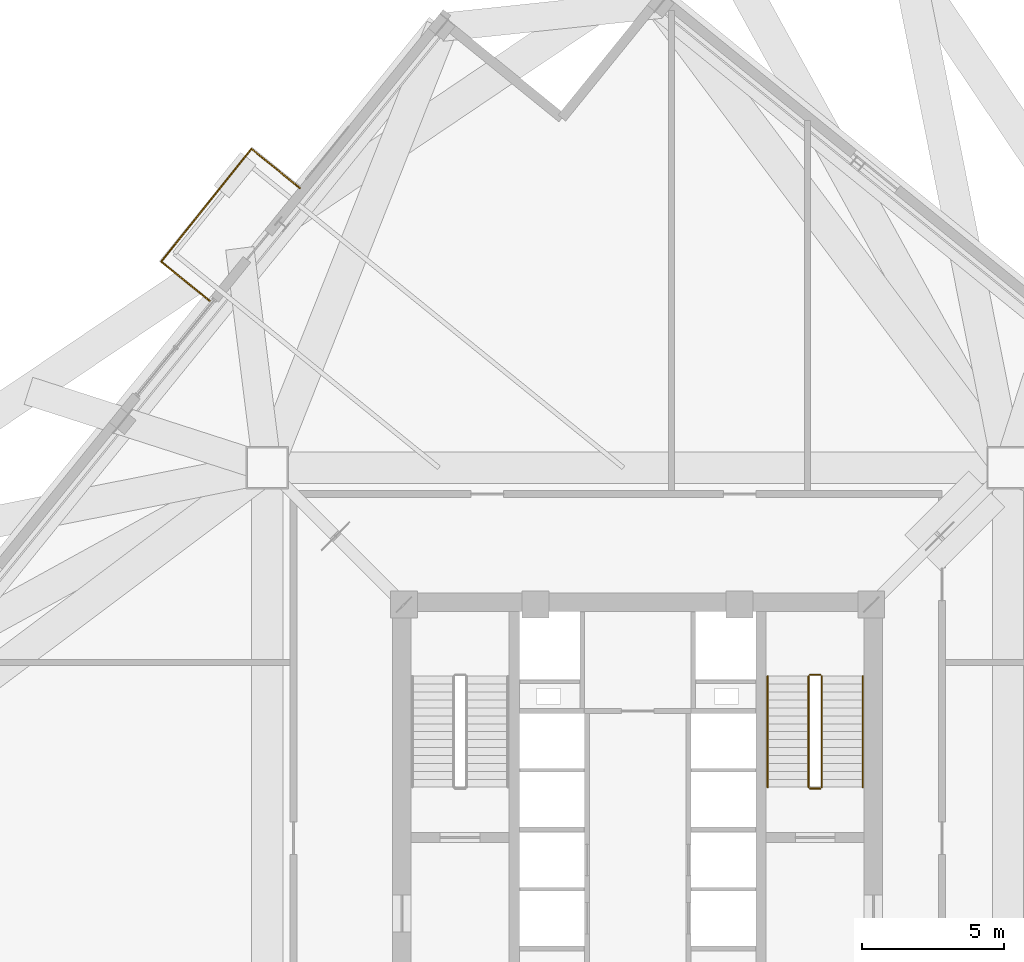
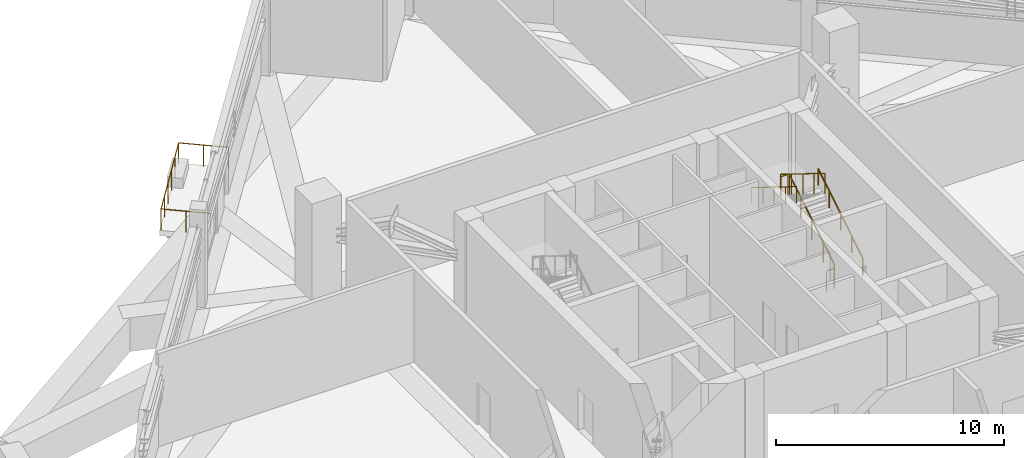
# One storey, part 21 of 22: 9 railings.
"""IFC4 building model written with IfcOpenShell, lengths in metres."""

import ifcopenshell
import ifcopenshell.guid

model = None  # the IFC model being written
_history = None  # IfcOwnerHistory: only IFC2X3 demands one
_inside = {}  # id of a spatial element -> (the spatial element, [elements in it])
_under = {}  # id of a project, library or spatial element -> (it, [spatial elements below it])
_declared = {}  # id of a project -> (the project, [libraries it declares])
_typed = {}  # id of a type object -> (the type object, [elements of that type])
_made_of = {}  # id of a material, layer set ... -> (it, [elements and type objects made of it])


def new_model(schema):
    """Start an empty IFC model of exactly this schema.

    Asked for "IFC4X3", IfcOpenShell would pick the latest addendum, in which some entities
    have other attributes; the version numbers below select the first issue.
    IFC2X3 requires an IfcOwnerHistory on every rooted entity: one is made here for all.
    """
    global model, _history
    if schema == "IFC4X3":
        model = ifcopenshell.file(schema_version=(4, 3, 0, 0))
    else:
        model = ifcopenshell.file(schema=schema)
    _inside.clear()
    _under.clear()
    _declared.clear()
    _typed.clear()
    _made_of.clear()
    _history = None
    if model.schema == "IFC2X3":
        org = make("IfcOrganization", Name="unknown")
        user = make(
            "IfcPersonAndOrganization",
            ThePerson=make("IfcPerson", FamilyName="unknown"),
            TheOrganization=org,
        )
        app = make(
            "IfcApplication",
            ApplicationDeveloper=org,
            Version="unknown",
            ApplicationFullName="unknown",
            ApplicationIdentifier="unknown",
        )
        _history = make(
            "IfcOwnerHistory",
            OwningUser=user,
            OwningApplication=app,
            ChangeAction="ADDED",
            CreationDate=0,
        )
    return model


def make(cls, **values):
    """One entity of the class cls with the attributes given. An attribute that is None is left unset."""
    return model.create_entity(
        cls, **{name: value for name, value in values.items() if value is not None}
    )


def rooted(cls, **values):
    """An entity with a GlobalId (a new one), such as an element, a storey or a relation."""
    return make(cls, GlobalId=ifcopenshell.guid.new(), OwnerHistory=_history, **values)


def si_unit(unit_type, name, prefix=None):
    """IfcSIUnit, for example si_unit("LENGTHUNIT", "METRE", prefix="MILLI")."""
    return make("IfcSIUnit", UnitType=unit_type, Prefix=prefix, Name=name)


def assignment(units):
    """IfcUnitAssignment: the units of a project."""
    return None if units is None else make("IfcUnitAssignment", Units=units)


def point(xyz):
    """IfcCartesianPoint."""
    return None if xyz is None else make("IfcCartesianPoint", Coordinates=xyz)


def direction(xyz):
    """IfcDirection."""
    return None if xyz is None else make("IfcDirection", DirectionRatios=xyz)


def frame(location, z_axis=None, x_axis=None):
    """IfcAxis2Placement3D, a coordinate frame: its origin and axes. An axis left out is left unset."""
    return make(
        "IfcAxis2Placement3D",
        Location=point(location),
        Axis=direction(z_axis),
        RefDirection=direction(x_axis),
    )


def frame_2d(location, x_axis=None):
    """IfcAxis2Placement2D, a coordinate frame in the plane: its origin and x axis."""
    return make(
        "IfcAxis2Placement2D", Location=point(location), RefDirection=direction(x_axis)
    )


def origin():
    """The frame at (0, 0, 0) with its axes left unset."""
    return frame((0.0, 0.0, 0.0))


def origin_2d():
    """The frame at (0, 0) in the plane with its x axis left unset."""
    return frame_2d((0.0, 0.0))


def place(relative_to, where):
    """IfcLocalPlacement: puts the frame where relative to a parent placement (None: the world)."""
    return make(
        "IfcLocalPlacement", PlacementRelTo=relative_to, RelativePlacement=where
    )


def context(
    kind, dimensions, precision=None, world=None, true_north=None, identifier=None
):
    """IfcGeometricRepresentationContext, for example the 3D "Model" context."""
    return make(
        "IfcGeometricRepresentationContext",
        ContextIdentifier=identifier,
        ContextType=kind,
        CoordinateSpaceDimension=dimensions,
        Precision=precision,
        WorldCoordinateSystem=world,
        TrueNorth=true_north,
    )


def subcontext(parent, identifier, kind, view, scale=None):
    """IfcGeometricRepresentationSubContext, for example "Body" below "Model"."""
    return make(
        "IfcGeometricRepresentationSubContext",
        ContextIdentifier=identifier,
        ContextType=kind,
        ParentContext=parent,
        TargetScale=scale,
        TargetView=view,
    )


def project(units=None, contexts=None):
    """IfcProject with its units and contexts."""
    return rooted(
        "IfcProject",
        Name="project",
        RepresentationContexts=contexts,
        UnitsInContext=assignment(units),
    )


def spatial(cls, under=None, at=None, **own):
    """A site, building, storey or space (cls), placed at a placement, below another one or the project."""
    s = rooted(cls, ObjectPlacement=at, **own)
    if under is not None:
        _under.setdefault(under.id(), (under, []))[1].append(s)
    return s


def profile(cls, at=None, kind="AREA", **sizes):
    """A parametric profile (cls). Its sizes go by their IFC names, for example OverallWidth=200.0."""
    return make(cls, ProfileType=kind, Position=at, **sizes)


def circle(**sizes):
    """IfcCircleProfileDef."""
    return profile("IfcCircleProfileDef", **sizes)


def extrude(swept, where, along, depth):
    """IfcExtrudedAreaSolid: the profile swept, set in the frame where, extruded along a direction by depth."""
    return make(
        "IfcExtrudedAreaSolid",
        SweptArea=swept,
        Position=where,
        ExtrudedDirection=direction(along),
        Depth=depth,
    )


def shape(context_of_items, identifier, shape_type, items):
    """IfcShapeRepresentation: the items that make up one representation, for example the "Body"."""
    return make(
        "IfcShapeRepresentation",
        ContextOfItems=context_of_items,
        RepresentationIdentifier=identifier,
        RepresentationType=shape_type,
        Items=items,
    )


def source(mapping_origin, context_of_items, identifier, shape_type, items):
    """IfcRepresentationMap: a shape defined once, which mapped items show again and again."""
    return make(
        "IfcRepresentationMap",
        MappingOrigin=mapping_origin,
        MappedRepresentation=shape(context_of_items, identifier, shape_type, items),
    )


def transform(
    local_origin,
    x_axis=None,
    y_axis=None,
    z_axis=None,
    scale=None,
    scale2=None,
    scale3=None,
    uniform=True,
):
    """IfcCartesianTransformationOperator3D, or its non-uniform kind. x_axis, y_axis, z_axis: its Axis1, 2, 3."""
    if uniform:
        return make(
            "IfcCartesianTransformationOperator3D",
            Axis1=direction(x_axis),
            Axis2=direction(y_axis),
            LocalOrigin=point(local_origin),
            Scale=scale,
            Axis3=direction(z_axis),
        )
    return make(
        "IfcCartesianTransformationOperator3DnonUniform",
        Axis1=direction(x_axis),
        Axis2=direction(y_axis),
        LocalOrigin=point(local_origin),
        Scale=scale,
        Axis3=direction(z_axis),
        Scale2=scale2,
        Scale3=scale3,
    )


def mapped(mapping_source, mapping_target):
    """IfcMappedItem: shows the shape of a source again, moved by a transform."""
    return make(
        "IfcMappedItem", MappingSource=mapping_source, MappingTarget=mapping_target
    )


def material(Name=None, Category=None):
    """IfcMaterial."""
    return make("IfcMaterial", Name=Name, Category=Category)


def made_of(thing, what):
    """Note that an element or type object is made of a material, layer set ...; save() writes the relation."""
    if what is not None:
        _made_of.setdefault(what.id(), (what, []))[1].append(thing)
    return thing


def type_object(cls, material=None, **own):
    """A type object (cls), such as IfcWallType, which elements share."""
    return made_of(rooted(cls, **own), material)


def element(
    cls,
    number,
    at=None,
    inside=None,
    cuts=None,
    type_object=None,
    material=None,
    context=None,
    identifier="Body",
    shape_type=None,
    held_by="IfcProductDefinitionShape",
    body=None,
    shapes=None,
    **own,
):
    """One element of the class cls, such as IfcWall. Its Tag is "e" and its number.

    at: its placement. inside: the storey or other place that contains it. cuts: it is an
    opening in that element (IfcRelVoidsElement). A single representation is given by context,
    identifier, shape_type and body (its items); several are given by shapes. held_by: the class
    of the entity that holds the representations. save() writes the other relations.
    """
    e = rooted(cls, Tag="e%d" % number, ObjectPlacement=at, **own)
    if body is not None:
        shapes = [shape(context, identifier, shape_type, body)]
    if shapes is not None:
        e.Representation = make(held_by, Representations=shapes)
    if inside is not None:
        _inside.setdefault(inside.id(), (inside, []))[1].append(e)
    if cuts is not None:
        rooted(
            "IfcRelVoidsElement", RelatingBuildingElement=cuts, RelatedOpeningElement=e
        )
    if type_object is not None:
        _typed.setdefault(type_object.id(), (type_object, []))[1].append(e)
    return made_of(e, material)


def aggregate(whole, parts):
    """IfcRelAggregates: a whole, such as a stair, and the parts it consists of."""
    return rooted("IfcRelAggregates", RelatingObject=whole, RelatedObjects=parts)


def save(model, path):
    """Write the relations noted so far, then the file.

    IfcRelAggregates (storeys below a building ...), IfcRelContainedInSpatialStructure (elements
    in a storey), IfcRelDefinesByType, IfcRelAssociatesMaterial and IfcRelDeclares: one each for
    every whole, place, type object, material and project.
    """
    for whole, parts in _under.values():
        aggregate(whole, parts)
    for where, things in _inside.values():
        rooted(
            "IfcRelContainedInSpatialStructure",
            RelatedElements=things,
            RelatingStructure=where,
        )
    for kind, things in _typed.values():
        rooted("IfcRelDefinesByType", RelatedObjects=things, RelatingType=kind)
    for what, things in _made_of.values():
        rooted("IfcRelAssociatesMaterial", RelatedObjects=things, RelatingMaterial=what)
    for by, libraries in _declared.values():
        rooted("IfcRelDeclares", RelatingContext=by, RelatedDefinitions=libraries)
    model.write(path)


model = new_model("IFC4")

# Units and contexts
model_context = context("Model", 3, precision=1e-05, world=origin(), true_north=direction((0.0, 1.0)))
body_context = subcontext(model_context, "Body", "Model", "MODEL_VIEW")
ifc_project = project(units=[si_unit("LENGTHUNIT", "METRE"), si_unit("AREAUNIT", "SQUARE_METRE"), si_unit("VOLUMEUNIT", "CUBIC_METRE"), si_unit("PLANEANGLEUNIT", "RADIAN"), si_unit("MASSUNIT", "GRAM", prefix="KILO"), si_unit("THERMODYNAMICTEMPERATUREUNIT", "KELVIN")], contexts=[model_context])

# Site, building, storey
site_placement = place(None, origin())
site = spatial("IfcSite", under=ifc_project, at=site_placement, CompositionType="ELEMENT")
building_placement = place(site_placement, origin())
building = spatial("IfcBuilding", under=site, at=building_placement, Name="Kosmvard Interchange Tower", CompositionType="ELEMENT")
storey_placement = place(building_placement, frame((0.0, 0.0, 200.39990234375)))
storey = spatial("IfcBuildingStorey", under=building, at=storey_placement, Name="L48", CompositionType="ELEMENT", Elevation=200.39990234375)

# Railings
ifc_material = material(Name="Steel S355", Category="steel")
railing_type_1 = type_object("IfcRailingType", Name="Observation & Balcony Glass-Infill Balustrade 1150", PredefinedType="BALUSTRADE", material=ifc_material)
shared_shape_1 = source(origin(), body_context, "Body", "SweptSolid", [
    extrude(circle(Radius=0.02392578125, at=origin_2d()), frame((0.0, 0.0, 1.1259765625), z_axis=(-0.777195763313, 0.629258885904, 0.0), x_axis=(-0.629258885904, -0.777195763313, 0.0)), (0.0, 0.0, 1.0), 2.199951171875),
    extrude(circle(Radius=0.02099609375, at=origin_2d()), origin(), (0.0, 0.0, 1.0), 1.101806640625),
    extrude(circle(Radius=0.02099609375, at=origin_2d()), frame((-0.85498046875, 0.692138671875, 0.0)), (0.0, 0.0, 1.0), 1.101806640625),
    extrude(circle(Radius=0.02099609375, at=origin_2d()), frame((-1.709716796875, 1.38427734375, 0.0)), (0.0, 0.0, 1.0), 1.101806640625),
])
railing_1_placement = place(storey_placement, frame((-11.92626953125, 22.95947265625, 0.0)))
element("IfcRailing", 1, at=railing_1_placement, inside=storey, type_object=railing_type_1, Name="L48 Outdoor Terrace Guard SKG-L48-N-A", PredefinedType="BALUSTRADE", context=body_context, shape_type="MappedRepresentation", body=[
    mapped(shared_shape_1, transform((0.0, 0.0, 0.0), scale=1.0)),
])
shared_shape_2 = source(origin(), body_context, "Body", "SweptSolid", [
    extrude(circle(Radius=0.02392578125, at=origin_2d()), frame((0.0, 0.0, 1.1259765625), z_axis=(-0.624759203114, -0.780817480673, 0.0), x_axis=(0.780817480673, -0.624759203114, 0.0)), (0.0, 0.0, 1.0), 5.104736328125),
    extrude(circle(Radius=0.02099609375, at=origin_2d()), origin(), (0.0, 0.0, 1.0), 1.101806640625),
    extrude(circle(Radius=0.02099609375, at=origin_2d()), frame((-0.637939453125, -0.797119140625, 0.0)), (0.0, 0.0, 1.0), 1.101806640625),
    extrude(circle(Radius=0.02099609375, at=origin_2d()), frame((-1.275634765625, -1.59423828125, 0.0)), (0.0, 0.0, 1.0), 1.101806640625),
    extrude(circle(Radius=0.02099609375, at=origin_2d()), frame((-1.91357421875, -2.3916015625, 0.0)), (0.0, 0.0, 1.0), 1.101806640625),
    extrude(circle(Radius=0.02099609375, at=origin_2d()), frame((-2.55126953125, -3.188720703125, 0.0)), (0.0, 0.0, 1.0), 1.101806640625),
    extrude(circle(Radius=0.02099609375, at=origin_2d()), frame((-3.189208984375, -3.98583984375, 0.0)), (0.0, 0.0, 1.0), 1.101806640625),
])
railing_2_placement = place(storey_placement, frame((-13.635986328125, 24.34375, 0.0)))
element("IfcRailing", 2, at=railing_2_placement, inside=storey, type_object=railing_type_1, Name="L48 Outdoor Terrace Guard SKG-L48-N-B", PredefinedType="BALUSTRADE", context=body_context, shape_type="MappedRepresentation", body=[
    mapped(shared_shape_2, transform((0.0, 0.0, 0.0), scale=1.0)),
])
shared_shape_3 = source(origin(), body_context, "Body", "SweptSolid", [
    extrude(circle(Radius=0.02392578125, at=origin_2d()), frame((0.0, 0.0, 1.1259765625), z_axis=(0.777141488432, -0.629325914736, 0.0), x_axis=(0.629325914736, 0.777141488432, 0.0)), (0.0, 0.0, 1.0), 2.199951171875),
    extrude(circle(Radius=0.02099609375, at=origin_2d()), origin(), (0.0, 0.0, 1.0), 1.101806640625),
    extrude(circle(Radius=0.02099609375, at=origin_2d()), frame((0.85498046875, -0.6923828125, 0.0)), (0.0, 0.0, 1.0), 1.101806640625),
    extrude(circle(Radius=0.02099609375, at=origin_2d()), frame((1.709716796875, -1.384521484375, 0.0)), (0.0, 0.0, 1.0), 1.101806640625),
])
railing_3_placement = place(storey_placement, frame((-16.8251953125, 20.35791015625, 0.0)))
element("IfcRailing", 3, at=railing_3_placement, inside=storey, type_object=railing_type_1, Name="L48 Outdoor Terrace Guard SKG-L48-N-C", PredefinedType="BALUSTRADE", context=body_context, shape_type="MappedRepresentation", body=[
    mapped(shared_shape_3, transform((0.0, 0.0, 0.0), scale=1.0)),
])
railing_type_2 = type_object("IfcRailingType", Name="Stair & Terrace Safety Guardrail 1100 Steel", PredefinedType="GUARDRAIL", material=ifc_material)
shared_shape_4 = source(origin(), body_context, "Body", "SweptSolid", [
    extrude(circle(Radius=0.02392578125, at=origin_2d()), frame((0.0, 0.0, 1.076171875), z_axis=(-1.0, 0.0, 0.0), x_axis=(0.0, -1.0, 0.0)), (0.0, 0.0, 1.0), 0.35986328125),
    extrude(circle(Radius=0.02099609375, at=origin_2d()), origin(), (0.0, 0.0, 1.0), 1.052001953125),
    extrude(circle(Radius=0.02099609375, at=origin_2d()), frame((-0.35986328125, 0.0, 0.0)), (0.0, 0.0, 1.0), 1.052001953125),
])
for number, where, name in (
    (4, (6.449951171875, 5.77001953125, 2.60009765625), "L48 ST-2 stair guard 2"),
    (5, (6.449951171875, 1.75, 0.0), "L48 ST-2 stair guard 4"),
):
    element("IfcRailing", number, at=place(storey_placement, frame(where)), inside=storey, type_object=railing_type_2, Name=name, PredefinedType="GUARDRAIL", context=body_context, shape_type="MappedRepresentation", body=[
        mapped(shared_shape_4, transform((0.0, 0.0, 0.0), scale=1.0)),
    ])
shared_shape_5 = source(origin(), body_context, "Body", "SweptSolid", [
    extrude(circle(Radius=0.02392578125, at=origin_2d()), frame((0.0, 0.0, 1.076171875), z_axis=(0.0, 0.850251603719, 0.526376491091), x_axis=(-1.0, 0.0, 0.0)), (0.0, 0.0, 1.0), 4.6103515625),
    extrude(circle(Radius=0.02099609375, at=origin_2d()), origin(), (0.0, 0.0, 1.0), 1.052001953125),
    extrude(circle(Radius=0.02099609375, at=origin_2d()), frame((0.0, 0.97998046875, 0.606689453125)), (0.0, 0.0, 1.0), 1.052001953125),
    extrude(circle(Radius=0.02099609375, at=origin_2d()), frame((0.0, 1.9599609375, 1.21337890625)), (0.0, 0.0, 1.0), 1.052001953125),
    extrude(circle(Radius=0.02099609375, at=origin_2d()), frame((0.0, 2.93994140625, 1.820068359375)), (0.0, 0.0, 1.0), 1.052001953125),
    extrude(circle(Radius=0.02099609375, at=origin_2d()), frame((0.0, 3.919921875, 2.4267578125)), (0.0, 0.0, 1.0), 1.052001953125),
])
railing_4_placement = place(storey_placement, frame((6.5, 1.800048828125, 0.17333984375)))
element("IfcRailing", 6, at=railing_4_placement, inside=storey, type_object=railing_type_2, Name="L48 ST-2 stair guard 1", PredefinedType="GUARDRAIL", context=body_context, shape_type="MappedRepresentation", body=[
    mapped(shared_shape_5, transform((0.0, 0.0, 0.0), scale=1.0)),
])
railing_type_3 = type_object("IfcRailingType", Name="Wall-Mounted Stair Handrail 900 Steel", PredefinedType="HANDRAIL", material=ifc_material)
shared_shape_6 = source(origin(), body_context, "Body", "SweptSolid", [
    extrude(circle(Radius=0.02392578125, at=origin_2d()), frame((0.0, 0.0, 0.8759765625), z_axis=(0.0, 0.850251603719, 0.526376491091), x_axis=(-1.0, 0.0, 0.0)), (0.0, 0.0, 1.0), 4.6103515625),
    extrude(circle(Radius=0.02099609375, at=origin_2d()), origin(), (0.0, 0.0, 1.0), 0.851806640625),
    extrude(circle(Radius=0.02099609375, at=origin_2d()), frame((0.0, 0.97998046875, 0.606689453125)), (0.0, 0.0, 1.0), 0.851806640625),
    extrude(circle(Radius=0.02099609375, at=origin_2d()), frame((0.0, 1.9599609375, 1.21337890625)), (0.0, 0.0, 1.0), 0.851806640625),
    extrude(circle(Radius=0.02099609375, at=origin_2d()), frame((0.0, 2.93994140625, 1.820068359375)), (0.0, 0.0, 1.0), 0.851806640625),
    extrude(circle(Radius=0.02099609375, at=origin_2d()), frame((0.0, 3.919921875, 2.4267578125)), (0.0, 0.0, 1.0), 0.851806640625),
])
railing_5_placement = place(storey_placement, frame((7.949951171875, 1.800048828125, 0.17333984375)))
element("IfcRailing", 7, at=railing_5_placement, inside=storey, type_object=railing_type_3, Name="L48 ST-2 stair handrail 1", PredefinedType="HANDRAIL", context=body_context, shape_type="MappedRepresentation", body=[
    mapped(shared_shape_6, transform((0.0, 0.0, 0.0), scale=1.0)),
])
shared_shape_7 = source(origin(), body_context, "Body", "SweptSolid", [
    extrude(circle(Radius=0.02392578125, at=origin_2d()), frame((0.0, 0.0, 1.076171875), z_axis=(0.0, -0.850251603719, 0.526376491091), x_axis=(1.0, 0.0, 0.0)), (0.0, 0.0, 1.0), 4.6103515625),
    extrude(circle(Radius=0.02099609375, at=origin_2d()), origin(), (0.0, 0.0, 1.0), 1.052001953125),
    extrude(circle(Radius=0.02099609375, at=origin_2d()), frame((0.0, -0.97998046875, 0.606689453125)), (0.0, 0.0, 1.0), 1.052001953125),
    extrude(circle(Radius=0.02099609375, at=origin_2d()), frame((0.0, -1.9599609375, 1.21337890625)), (0.0, 0.0, 1.0), 1.052001953125),
    extrude(circle(Radius=0.02099609375, at=origin_2d()), frame((0.0, -2.93994140625, 1.820068359375)), (0.0, 0.0, 1.0), 1.052001953125),
    extrude(circle(Radius=0.02099609375, at=origin_2d()), frame((0.0, -3.919921875, 2.4267578125)), (0.0, 0.0, 1.0), 1.052001953125),
])
railing_6_placement = place(storey_placement, frame((6.0400390625, 5.719970703125, 2.7734375)))
element("IfcRailing", 8, at=railing_6_placement, inside=storey, type_object=railing_type_2, Name="L48 ST-2 stair guard 3", PredefinedType="GUARDRAIL", context=body_context, shape_type="MappedRepresentation", body=[
    mapped(shared_shape_7, transform((0.0, 0.0, 0.0), scale=1.0)),
])
shared_shape_8 = source(origin(), body_context, "Body", "SweptSolid", [
    extrude(circle(Radius=0.02392578125, at=origin_2d()), frame((0.0, 0.0, 0.8759765625), z_axis=(0.0, -0.850251603719, 0.526376491091), x_axis=(1.0, 0.0, 0.0)), (0.0, 0.0, 1.0), 4.6103515625),
    extrude(circle(Radius=0.02099609375, at=origin_2d()), origin(), (0.0, 0.0, 1.0), 0.851806640625),
    extrude(circle(Radius=0.02099609375, at=origin_2d()), frame((0.0, -0.97998046875, 0.606689453125)), (0.0, 0.0, 1.0), 0.851806640625),
    extrude(circle(Radius=0.02099609375, at=origin_2d()), frame((0.0, -1.9599609375, 1.21337890625)), (0.0, 0.0, 1.0), 0.851806640625),
    extrude(circle(Radius=0.02099609375, at=origin_2d()), frame((0.0, -2.93994140625, 1.820068359375)), (0.0, 0.0, 1.0), 0.851806640625),
    extrude(circle(Radius=0.02099609375, at=origin_2d()), frame((0.0, -3.919921875, 2.4267578125)), (0.0, 0.0, 1.0), 0.851806640625),
])
railing_7_placement = place(storey_placement, frame((4.590087890625, 5.719970703125, 2.7734375)))
element("IfcRailing", 9, at=railing_7_placement, inside=storey, type_object=railing_type_3, Name="L48 ST-2 stair handrail 2", PredefinedType="HANDRAIL", context=body_context, shape_type="MappedRepresentation", body=[
    mapped(shared_shape_8, transform((0.0, 0.0, 0.0), scale=1.0)),
])

save(model, "model.ifc")
